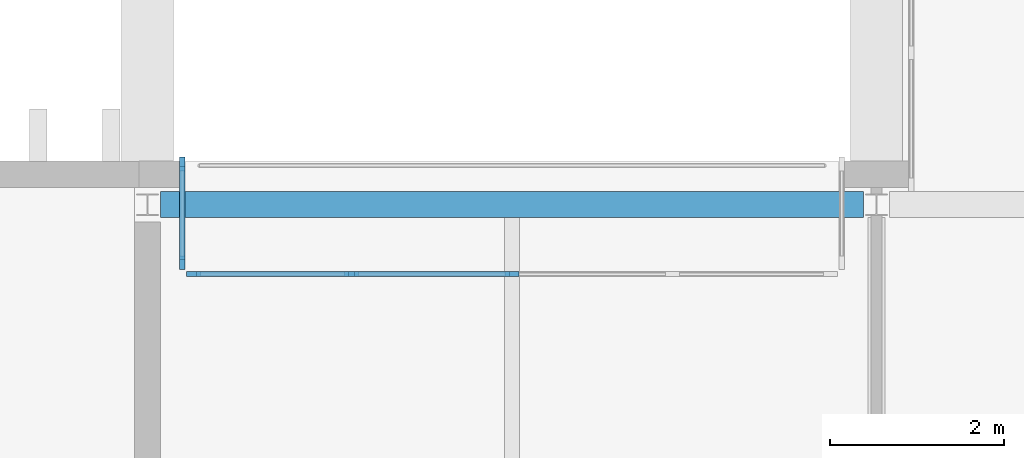
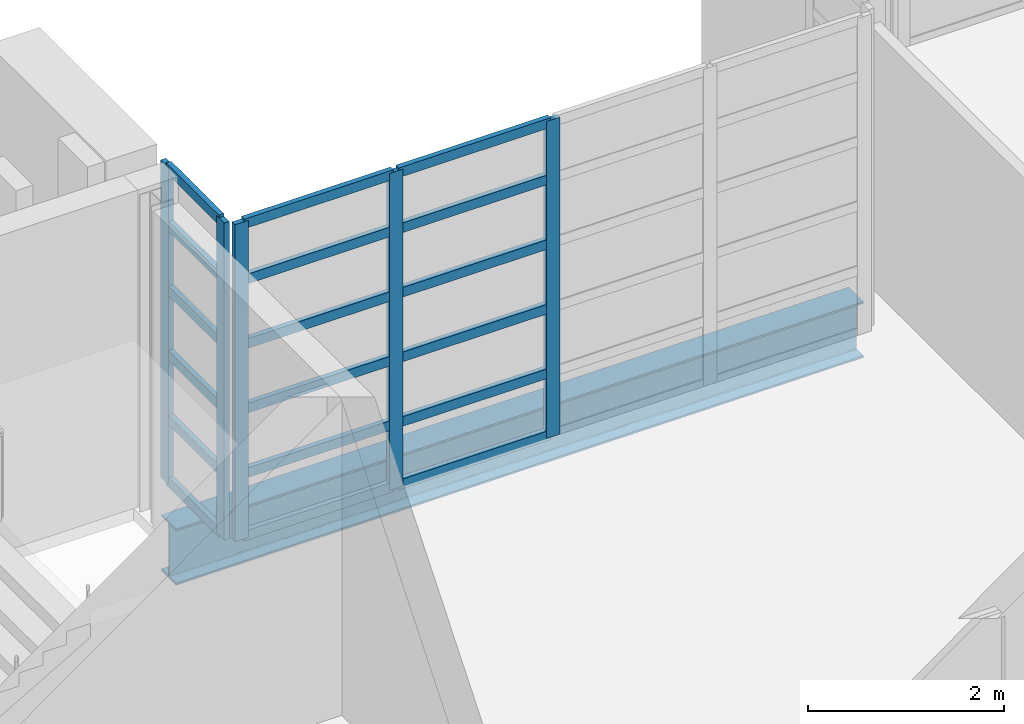
# One storey, part 21 of 88: 23 members, 1 beam, 2 elements without a shape of their own.
"""IFC4 building model written with IfcOpenShell, lengths in metres."""

from ifc_helpers import new_model, si_unit, direction, frame, origin, origin_2d, place, context, subcontext, project, spatial, rectangle, i_section, extrude, material, layer, layer_set, material_profile, profile_set, type_object, element, aggregate, save


model = new_model("IFC4")

# Units and contexts
model_context = context("Model", 3, precision=1e-05, world=origin(), true_north=direction((0.0, 1.0)))
body_context = subcontext(model_context, "Body", "Model", "MODEL_VIEW")
ifc_project = project(units=[si_unit("LENGTHUNIT", "METRE"), si_unit("AREAUNIT", "SQUARE_METRE"), si_unit("VOLUMEUNIT", "CUBIC_METRE"), si_unit("PLANEANGLEUNIT", "RADIAN"), si_unit("MASSUNIT", "GRAM", prefix="KILO")], contexts=[model_context])

# Site, building, storey
site_placement = place(None, origin())
site = spatial("IfcSite", under=ifc_project, at=site_placement, CompositionType="ELEMENT")
building_placement = place(site_placement, origin())
building = spatial("IfcBuilding", under=site, at=building_placement, Name="Cresset Court Congress Hotel", CompositionType="ELEMENT")
storey_placement = place(building_placement, frame((0.0, 0.0, 14.39990234375)))
storey = spatial("IfcBuildingStorey", under=building, at=storey_placement, Name="L03", CompositionType="ELEMENT", Elevation=14.39990234375)

# Curtain wall, members
ifc_material_1 = material(Name="Aluminium frame with double glazing", Category="aluminium")
ifc_layer = layer(ifc_material_1, 0.199951171875)
ifc_layer_set = layer_set([ifc_layer], Name="Glazed box curtain wall 1680 module")
curtain_wall_type = type_object("IfcCurtainWallType", Name="Glazed box curtain wall 1680 module", PredefinedType="NOTDEFINED", material=ifc_layer_set)
curtain_wall_1_placement = place(storey_placement, origin())
curtain_wall_1 = element("IfcCurtainWall", 1, at=curtain_wall_1_placement, inside=storey, type_object=curtain_wall_type, Name="Glazed box N0327 front", PredefinedType="NOTDEFINED")
ifc_material_2 = material(Name="Aluminium", Category="aluminium")
ifc_material_profile_1 = material_profile(ifc_material_2, rectangle(XDim=0.06005859375, YDim=0.159912109375, at=origin_2d()), Name="Box mullion 60x160")
ifc_profile_set_1 = profile_set([ifc_material_profile_1], Name="Aluminium")
member_type_1 = type_object("IfcMemberType", Name="Box mullion 60x160", PredefinedType="MULLION", material=ifc_profile_set_1)
member_1_placement = place(storey_placement, frame((67.72998046875, 24.39990234375, 0.0), z_axis=(0.0, 0.0, 1.0), x_axis=(0.0, 1.0, 0.0)))
member_1 = element("IfcMember", 2, at=member_1_placement, type_object=member_type_1, Name="B-X1 mullion 1", PredefinedType="MULLION", context=body_context, shape_type="SweptSolid", body=[
    extrude(rectangle(XDim=0.06005859375, YDim=0.159912109375, at=origin_2d()), origin(), (0.0, 0.0, 1.0), 3.9501953125),
])
member_2_placement = place(storey_placement, frame((69.550048828125, 24.39990234375, 0.0), z_axis=(0.0, 0.0, 1.0), x_axis=(0.0, 1.0, 0.0)))
member_2 = element("IfcMember", 3, at=member_2_placement, type_object=member_type_1, Name="B-X1 mullion 2", PredefinedType="MULLION", context=body_context, shape_type="SweptSolid", body=[
    extrude(rectangle(XDim=0.06005859375, YDim=0.159912109375, at=origin_2d()), origin(), (0.0, 0.0, 1.0), 3.9501953125),
])
member_3_placement = place(storey_placement, frame((71.39990234375, 24.39990234375, 0.0), z_axis=(0.0, 0.0, 1.0), x_axis=(0.0, 1.0, 0.0)))
member_3 = element("IfcMember", 4, at=member_3_placement, type_object=member_type_1, Name="B-X1 mullion 3", PredefinedType="MULLION", context=body_context, shape_type="SweptSolid", body=[
    extrude(rectangle(XDim=0.06005859375, YDim=0.159912109375, at=origin_2d()), origin(), (0.0, 0.0, 1.0), 3.9501953125),
])

curtain_wall_2_placement = place(storey_placement, origin())
curtain_wall_2 = element("IfcCurtainWall", 5, at=curtain_wall_2_placement, inside=storey, type_object=curtain_wall_type, Name="Glazed box N0327 side", PredefinedType="NOTDEFINED")
member_4_placement = place(storey_placement, frame((67.60009765625, 25.669921875, 0.0), z_axis=(0.0, 0.0, 1.0), x_axis=(1.0, 0.0, 0.0)))
member_4 = element("IfcMember", 6, at=member_4_placement, type_object=member_type_1, Name="B-X1 mullion 1", PredefinedType="MULLION", context=body_context, shape_type="SweptSolid", body=[
    extrude(rectangle(XDim=0.06005859375, YDim=0.159912109375, at=origin_2d()), origin(), (0.0, 0.0, 1.0), 3.9501953125),
])
member_5_placement = place(storey_placement, frame((67.60009765625, 24.530029296875, 0.0), z_axis=(0.0, 0.0, 1.0), x_axis=(1.0, 0.0, 0.0)))
member_5 = element("IfcMember", 7, at=member_5_placement, type_object=member_type_1, Name="B-X1 mullion 2", PredefinedType="MULLION", context=body_context, shape_type="SweptSolid", body=[
    extrude(rectangle(XDim=0.06005859375, YDim=0.159912109375, at=origin_2d()), origin(), (0.0, 0.0, 1.0), 3.9501953125),
])

# Member
ifc_material_3 = material(Name="Aluminium", Category="aluminium")
ifc_material_profile_2 = material_profile(ifc_material_3, rectangle(XDim=0.06005859375, YDim=0.1201171875, at=origin_2d()), Name="Box transom 60x120")
ifc_profile_set_2 = profile_set([ifc_material_profile_2], Name="Aluminium")
member_type_2 = type_object("IfcMemberType", Name="Box transom 60x120", PredefinedType="USERDEFINED", material=ifc_profile_set_2)
member_6_placement = place(storey_placement, frame((67.760009765625, 24.39990234375, 0.030029296875), z_axis=(1.0, 0.0, 0.0), x_axis=(0.0, 1.0, 0.0)))
member_6 = element("IfcMember", 8, at=member_6_placement, type_object=member_type_2, Name="B-X1 transom 1.1", ObjectType="TRANSOM", PredefinedType="USERDEFINED", context=body_context, shape_type="SweptSolid", body=[
    extrude(rectangle(XDim=0.06005859375, YDim=0.1201171875, at=origin_2d()), origin(), (0.0, 0.0, 1.0), 1.760009765625),
])

member_7_placement = place(storey_placement, frame((67.760009765625, 24.39990234375, 0.80517578125), z_axis=(1.0, 0.0, 0.0), x_axis=(0.0, 1.0, 0.0)))
member_7 = element("IfcMember", 9, at=member_7_placement, type_object=member_type_2, Name="B-X1 transom 1.2", ObjectType="TRANSOM", PredefinedType="USERDEFINED", context=body_context, shape_type="SweptSolid", body=[
    extrude(rectangle(XDim=0.06005859375, YDim=0.1201171875, at=origin_2d()), origin(), (0.0, 0.0, 1.0), 1.760009765625),
])

member_8_placement = place(storey_placement, frame((67.760009765625, 24.39990234375, 1.610107421875), z_axis=(1.0, 0.0, 0.0), x_axis=(0.0, 1.0, 0.0)))
member_8 = element("IfcMember", 10, at=member_8_placement, type_object=member_type_2, Name="B-X1 transom 1.3", ObjectType="TRANSOM", PredefinedType="USERDEFINED", context=body_context, shape_type="SweptSolid", body=[
    extrude(rectangle(XDim=0.06005859375, YDim=0.1201171875, at=origin_2d()), origin(), (0.0, 0.0, 1.0), 1.760009765625),
])

member_9_placement = place(storey_placement, frame((67.760009765625, 24.39990234375, 2.4150390625), z_axis=(1.0, 0.0, 0.0), x_axis=(0.0, 1.0, 0.0)))
member_9 = element("IfcMember", 11, at=member_9_placement, type_object=member_type_2, Name="B-X1 transom 1.4", ObjectType="TRANSOM", PredefinedType="USERDEFINED", context=body_context, shape_type="SweptSolid", body=[
    extrude(rectangle(XDim=0.06005859375, YDim=0.1201171875, at=origin_2d()), origin(), (0.0, 0.0, 1.0), 1.760009765625),
])

member_10_placement = place(storey_placement, frame((67.760009765625, 24.39990234375, 3.22021484375), z_axis=(1.0, 0.0, 0.0), x_axis=(0.0, 1.0, 0.0)))
member_10 = element("IfcMember", 12, at=member_10_placement, type_object=member_type_2, Name="B-X1 transom 1.5", ObjectType="TRANSOM", PredefinedType="USERDEFINED", context=body_context, shape_type="SweptSolid", body=[
    extrude(rectangle(XDim=0.06005859375, YDim=0.1201171875, at=origin_2d()), origin(), (0.0, 0.0, 1.0), 1.760009765625),
])

member_11_placement = place(storey_placement, frame((67.760009765625, 24.39990234375, 3.920166015625), z_axis=(1.0, 0.0, 0.0), x_axis=(0.0, 1.0, 0.0)))
member_11 = element("IfcMember", 13, at=member_11_placement, type_object=member_type_2, Name="B-X1 transom 1.6", ObjectType="TRANSOM", PredefinedType="USERDEFINED", context=body_context, shape_type="SweptSolid", body=[
    extrude(rectangle(XDim=0.06005859375, YDim=0.1201171875, at=origin_2d()), origin(), (0.0, 0.0, 1.0), 1.760009765625),
])

member_12_placement = place(storey_placement, frame((69.580078125, 24.39990234375, 0.030029296875), z_axis=(1.0, 0.0, 0.0), x_axis=(0.0, 1.0, 0.0)))
member_12 = element("IfcMember", 14, at=member_12_placement, type_object=member_type_2, Name="B-X1 transom 2.1", ObjectType="TRANSOM", PredefinedType="USERDEFINED", context=body_context, shape_type="SweptSolid", body=[
    extrude(rectangle(XDim=0.06005859375, YDim=0.1201171875, at=origin_2d()), origin(), (0.0, 0.0, 1.0), 1.7900390625),
])

member_13_placement = place(storey_placement, frame((69.580078125, 24.39990234375, 0.80517578125), z_axis=(1.0, 0.0, 0.0), x_axis=(0.0, 1.0, 0.0)))
member_13 = element("IfcMember", 15, at=member_13_placement, type_object=member_type_2, Name="B-X1 transom 2.2", ObjectType="TRANSOM", PredefinedType="USERDEFINED", context=body_context, shape_type="SweptSolid", body=[
    extrude(rectangle(XDim=0.06005859375, YDim=0.1201171875, at=origin_2d()), origin(), (0.0, 0.0, 1.0), 1.7900390625),
])

member_14_placement = place(storey_placement, frame((69.580078125, 24.39990234375, 1.610107421875), z_axis=(1.0, 0.0, 0.0), x_axis=(0.0, 1.0, 0.0)))
member_14 = element("IfcMember", 16, at=member_14_placement, type_object=member_type_2, Name="B-X1 transom 2.3", ObjectType="TRANSOM", PredefinedType="USERDEFINED", context=body_context, shape_type="SweptSolid", body=[
    extrude(rectangle(XDim=0.06005859375, YDim=0.1201171875, at=origin_2d()), origin(), (0.0, 0.0, 1.0), 1.7900390625),
])

member_15_placement = place(storey_placement, frame((69.580078125, 24.39990234375, 2.4150390625), z_axis=(1.0, 0.0, 0.0), x_axis=(0.0, 1.0, 0.0)))
member_15 = element("IfcMember", 17, at=member_15_placement, type_object=member_type_2, Name="B-X1 transom 2.4", ObjectType="TRANSOM", PredefinedType="USERDEFINED", context=body_context, shape_type="SweptSolid", body=[
    extrude(rectangle(XDim=0.06005859375, YDim=0.1201171875, at=origin_2d()), origin(), (0.0, 0.0, 1.0), 1.7900390625),
])

member_16_placement = place(storey_placement, frame((69.580078125, 24.39990234375, 3.22021484375), z_axis=(1.0, 0.0, 0.0), x_axis=(0.0, 1.0, 0.0)))
member_16 = element("IfcMember", 18, at=member_16_placement, type_object=member_type_2, Name="B-X1 transom 2.5", ObjectType="TRANSOM", PredefinedType="USERDEFINED", context=body_context, shape_type="SweptSolid", body=[
    extrude(rectangle(XDim=0.06005859375, YDim=0.1201171875, at=origin_2d()), origin(), (0.0, 0.0, 1.0), 1.7900390625),
])

member_17_placement = place(storey_placement, frame((69.580078125, 24.39990234375, 3.920166015625), z_axis=(1.0, 0.0, 0.0), x_axis=(0.0, 1.0, 0.0)))
member_17 = element("IfcMember", 19, at=member_17_placement, type_object=member_type_2, Name="B-X1 transom 2.6", ObjectType="TRANSOM", PredefinedType="USERDEFINED", context=body_context, shape_type="SweptSolid", body=[
    extrude(rectangle(XDim=0.06005859375, YDim=0.1201171875, at=origin_2d()), origin(), (0.0, 0.0, 1.0), 1.7900390625),
])

aggregate(curtain_wall_1, [member_1, member_2, member_3, member_6, member_7, member_8, member_9, member_10, member_11, member_12, member_13, member_14, member_15, member_16, member_17])

member_18_placement = place(storey_placement, frame((67.60009765625, 25.639892578125, 0.030029296875), z_axis=(0.0, -1.0, 0.0), x_axis=(1.0, 0.0, 0.0)))
member_18 = element("IfcMember", 20, at=member_18_placement, type_object=member_type_2, Name="B-X1 transom 1.1", ObjectType="TRANSOM", PredefinedType="USERDEFINED", context=body_context, shape_type="SweptSolid", body=[
    extrude(rectangle(XDim=0.06005859375, YDim=0.1201171875, at=origin_2d()), origin(), (0.0, 0.0, 1.0), 1.079833984375),
])

member_19_placement = place(storey_placement, frame((67.60009765625, 25.639892578125, 0.80517578125), z_axis=(0.0, -1.0, 0.0), x_axis=(1.0, 0.0, 0.0)))
member_19 = element("IfcMember", 21, at=member_19_placement, type_object=member_type_2, Name="B-X1 transom 1.2", ObjectType="TRANSOM", PredefinedType="USERDEFINED", context=body_context, shape_type="SweptSolid", body=[
    extrude(rectangle(XDim=0.06005859375, YDim=0.1201171875, at=origin_2d()), origin(), (0.0, 0.0, 1.0), 1.079833984375),
])

member_20_placement = place(storey_placement, frame((67.60009765625, 25.639892578125, 1.610107421875), z_axis=(0.0, -1.0, 0.0), x_axis=(1.0, 0.0, 0.0)))
member_20 = element("IfcMember", 22, at=member_20_placement, type_object=member_type_2, Name="B-X1 transom 1.3", ObjectType="TRANSOM", PredefinedType="USERDEFINED", context=body_context, shape_type="SweptSolid", body=[
    extrude(rectangle(XDim=0.06005859375, YDim=0.1201171875, at=origin_2d()), origin(), (0.0, 0.0, 1.0), 1.079833984375),
])

member_21_placement = place(storey_placement, frame((67.60009765625, 25.639892578125, 2.4150390625), z_axis=(0.0, -1.0, 0.0), x_axis=(1.0, 0.0, 0.0)))
member_21 = element("IfcMember", 23, at=member_21_placement, type_object=member_type_2, Name="B-X1 transom 1.4", ObjectType="TRANSOM", PredefinedType="USERDEFINED", context=body_context, shape_type="SweptSolid", body=[
    extrude(rectangle(XDim=0.06005859375, YDim=0.1201171875, at=origin_2d()), origin(), (0.0, 0.0, 1.0), 1.079833984375),
])

member_22_placement = place(storey_placement, frame((67.60009765625, 25.639892578125, 3.22021484375), z_axis=(0.0, -1.0, 0.0), x_axis=(1.0, 0.0, 0.0)))
member_22 = element("IfcMember", 24, at=member_22_placement, type_object=member_type_2, Name="B-X1 transom 1.5", ObjectType="TRANSOM", PredefinedType="USERDEFINED", context=body_context, shape_type="SweptSolid", body=[
    extrude(rectangle(XDim=0.06005859375, YDim=0.1201171875, at=origin_2d()), origin(), (0.0, 0.0, 1.0), 1.079833984375),
])

member_23_placement = place(storey_placement, frame((67.60009765625, 25.639892578125, 3.920166015625), z_axis=(0.0, -1.0, 0.0), x_axis=(1.0, 0.0, 0.0)))
member_23 = element("IfcMember", 25, at=member_23_placement, type_object=member_type_2, Name="B-X1 transom 1.6", ObjectType="TRANSOM", PredefinedType="USERDEFINED", context=body_context, shape_type="SweptSolid", body=[
    extrude(rectangle(XDim=0.06005859375, YDim=0.1201171875, at=origin_2d()), origin(), (0.0, 0.0, 1.0), 1.079833984375),
])

aggregate(curtain_wall_2, [member_4, member_5, member_18, member_19, member_20, member_21, member_22, member_23])

# Beam
ifc_material_4 = material(Name="Structural steel Q355B", Category="steel")
ifc_material_profile_3 = material_profile(ifc_material_4, i_section(OverallWidth=0.300048828125, OverallDepth=0.699951171875, WebThickness=0.012939453125, FlangeThickness=0.02392578125, FilletRadius=0.01806640625, at=origin_2d()), Name="HN700x300x13x24")
ifc_profile_set_3 = profile_set([ifc_material_profile_3], Name="Structural steel Q355B")
beam_type = type_object("IfcBeamType", Name="Steel beam HN700x300x13x24", PredefinedType="BEAM", material=ifc_profile_set_3)
beam_placement = place(storey_placement, frame((67.35009765625, 25.199951171875, -0.5), z_axis=(1.0, 0.0, 0.0), x_axis=(0.0, 1.0, 0.0)))
element("IfcBeam", 26, at=beam_placement, inside=storey, type_object=beam_type, Name="B.bx.L03.D09", PredefinedType="BEAM", context=body_context, shape_type="SweptSolid", body=[
    extrude(i_section(OverallWidth=0.300048828125, OverallDepth=0.699951171875, WebThickness=0.012939453125, FlangeThickness=0.02392578125, FilletRadius=0.01806640625, at=origin_2d()), origin(), (0.0, 0.0, 1.0), 8.099853515625),
])

save(model, "model.ifc")
